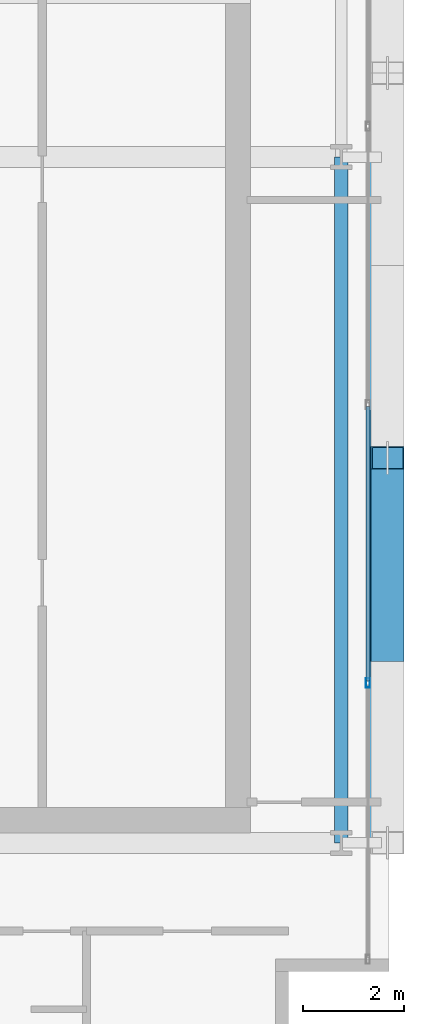
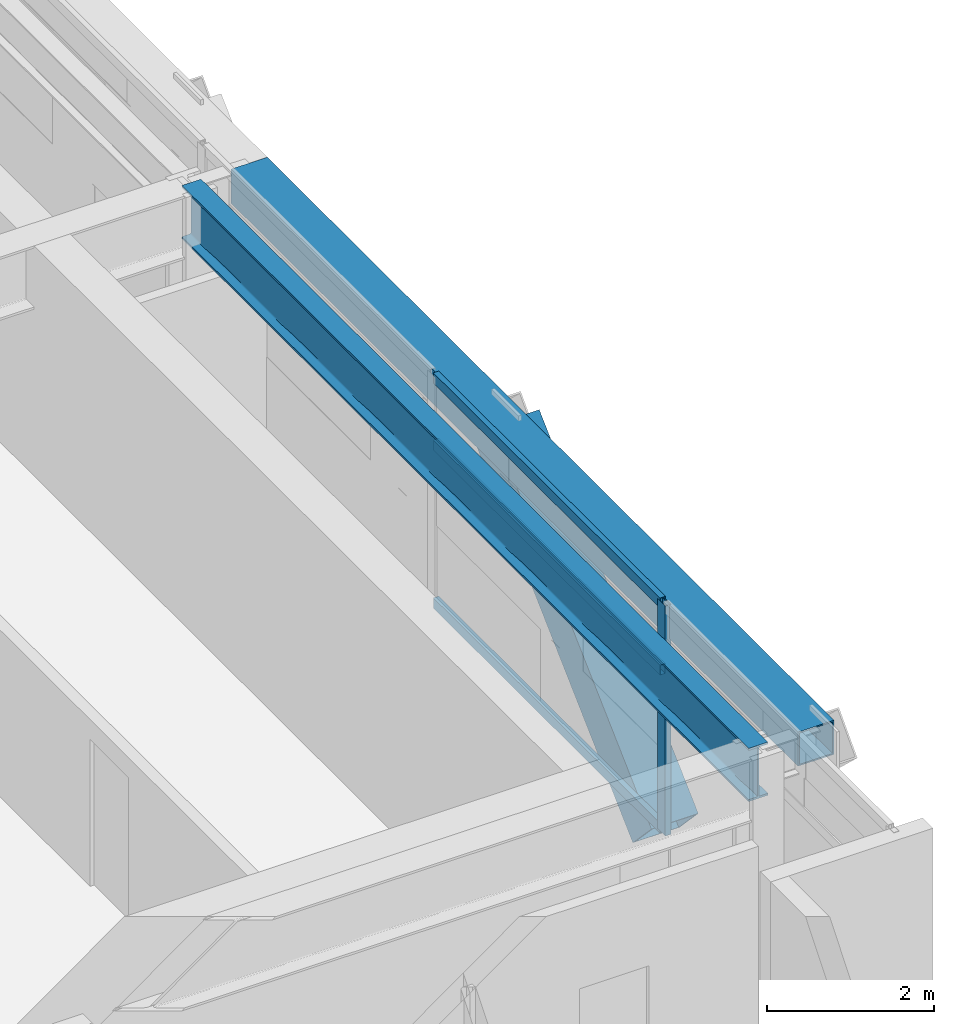
# One storey, part 12 of 32: 5 members, 2 beams, 1 element without a shape of its own.
"""IFC4 building model written with IfcOpenShell, lengths in metres."""

from ifc_helpers import new_model, si_unit, direction, frame, origin, origin_2d, place, context, subcontext, project, spatial, hollow_rectangle, i_section, extrude, source, transform, mapped, material, layer, layer_set, material_profile, profile_set, type_object, element, aggregate, save


model = new_model("IFC4")

# Units and contexts
model_context = context("Model", 3, precision=1e-05, world=origin(), true_north=direction((0.0, 1.0)))
body_context = subcontext(model_context, "Body", "Model", "MODEL_VIEW")
ifc_project = project(units=[si_unit("LENGTHUNIT", "METRE"), si_unit("AREAUNIT", "SQUARE_METRE"), si_unit("VOLUMEUNIT", "CUBIC_METRE"), si_unit("PLANEANGLEUNIT", "RADIAN"), si_unit("MASSUNIT", "GRAM", prefix="KILO")], contexts=[model_context])

# Site, building, storey
site_placement = place(None, origin())
site = spatial("IfcSite", under=ifc_project, at=site_placement, CompositionType="ELEMENT")
building_placement = place(site_placement, origin())
building = spatial("IfcBuilding", under=site, at=building_placement, Name="Ocotamira Hotel", CompositionType="ELEMENT")
storey_placement = place(building_placement, frame((0.0, 0.0, 184.800048828125)))
storey = spatial("IfcBuildingStorey", under=building, at=storey_placement, Name="L46", CompositionType="ELEMENT", Elevation=184.800048828125)

# Beams
ifc_material_1 = material(Name="Steel ASTM A992 Grade 50", Category="steel")
ifc_material_profile_1 = material_profile(ifc_material_1, i_section(OverallWidth=0.26611328125, OverallDepth=0.779052734375, WebThickness=0.0166015625, FlangeThickness=0.030029296875, FilletRadius=0.01806640625, at=origin_2d()), Name="W30X148")
ifc_profile_set_1 = profile_set([ifc_material_profile_1], Name="Steel ASTM A992 Grade 50")
beam_type_1 = type_object("IfcBeamType", Name="BM-GIRD-W30X148", PredefinedType="BEAM", material=ifc_profile_set_1)
shared_shape_1 = source(origin(), body_context, "Body", "SweptSolid", [
    extrude(i_section(OverallWidth=0.26611328125, OverallDepth=0.779052734375, WebThickness=0.0166015625, FlangeThickness=0.030029296875, FilletRadius=0.01806640625, at=origin_2d()), origin(), (0.0, 0.0, 1.0), 13.599853515625),
])
beam_1_placement = place(storey_placement, frame((55.050048828125, 14.550048828125, 2.98046875), z_axis=(0.0, 1.0, 0.0), x_axis=(-1.0, 0.0, 0.0)))
element("IfcBeam", 1, at=beam_1_placement, inside=storey, type_object=beam_type_1, Name="L46 Beam X55.05 Y14.55-28.15", PredefinedType="BEAM", context=body_context, shape_type="MappedRepresentation", body=[
    mapped(shared_shape_1, transform((0.0, 0.0, 0.0), scale=1.0)),
])
ifc_material_2 = material(Name="Steel ASTM A500 Grade C", Category="steel")
ifc_material_profile_2 = material_profile(ifc_material_2, hollow_rectangle(XDim=0.5, YDim=0.5, WallThickness=0.02001953125, at=origin_2d()), Name="HSS500X500X20")
ifc_profile_set_2 = profile_set([ifc_material_profile_2], Name="Steel ASTM A500 Grade C")
beam_type_2 = type_object("IfcBeamType", Name="BM-SPAN-HSS500", PredefinedType="USERDEFINED", material=ifc_profile_set_2)
shared_shape_2 = source(origin(), body_context, "Body", "SweptSolid", [
    extrude(hollow_rectangle(XDim=0.5, YDim=0.5, WallThickness=0.02001953125, at=origin_2d()), origin(), (0.0, 0.0, 1.0), 13.599853515625),
])
beam_2_placement = place(storey_placement, frame((55.85009765625, 14.550048828125, 3.119873046875), z_axis=(0.0, 1.0, 0.0), x_axis=(-1.0, 0.0, 0.0)))
element("IfcBeam", 2, at=beam_2_placement, inside=storey, type_object=beam_type_2, Name="L46 Edge Spandrel E Y14.55-28.15", ObjectType="SPANDREL", PredefinedType="USERDEFINED", context=body_context, shape_type="MappedRepresentation", body=[
    mapped(shared_shape_2, transform((0.0, 0.0, 0.0), scale=1.0)),
])

# Member
ifc_material_3 = material(Name="Pale-metal coated steel ASTM A913 Grade 65", Category="steel")
ifc_material_profile_3 = material_profile(ifc_material_3, hollow_rectangle(XDim=0.64990234375, YDim=0.64990234375, WallThickness=0.02197265625, at=origin_2d()), Name="BOX650X650X22")
ifc_profile_set_3 = profile_set([ifc_material_profile_3], Name="Pale-metal coated steel ASTM A913 Grade 65")
member_type_1 = type_object("IfcMemberType", Name="MEM-EXO-BOX650", PredefinedType="BRACE", material=ifc_profile_set_3)
shared_shape_3 = source(origin(), body_context, "Body", "SweptSolid", [
    extrude(hollow_rectangle(XDim=0.64990234375, YDim=0.64990234375, WallThickness=0.02197265625, at=origin_2d()), origin(), (0.0, 0.0, 1.0), 5.24658203125),
])
member_1_placement = place(storey_placement, frame((55.969970703125, 18.36669921875, -0.47998046875), z_axis=(0.0, 0.72746596067, 0.686143772154), x_axis=(-1.0, 0.0, 0.0)))
element("IfcMember", 3, at=member_1_placement, inside=storey, type_object=member_type_1, Name="L46 Exoskeleton Diagrid E0.2", PredefinedType="BRACE", context=body_context, shape_type="MappedRepresentation", body=[
    mapped(shared_shape_3, transform((0.0, 0.0, 0.0), scale=1.0)),
])

# Curtain wall, members
ifc_material_4 = material(Name="Anodised pale-metal aluminium and solar glass", Category="aluminium")
ifc_layer = layer(ifc_material_4, 0.199951171875)
ifc_layer_set = layer_set([ifc_layer], Name="Anodised pale-metal aluminium and solar glass")
curtain_wall_type = type_object("IfcCurtainWallType", Name="CW-SYS4-Z3", PredefinedType="NOTDEFINED", material=ifc_layer_set)
curtain_wall_placement = place(storey_placement, origin())
curtain_wall = element("IfcCurtainWall", 4, at=curtain_wall_placement, inside=storey, type_object=curtain_wall_type, Name="L46 Curtain Wall CW-4 CW-L46-E", PredefinedType="NOTDEFINED")
ifc_material_5 = material(Name="Anodised pale-metal aluminium 6063-T6", Category="aluminium")
ifc_material_profile_4 = material_profile(ifc_material_5, hollow_rectangle(XDim=0.074951171875, YDim=0.14990234375, WallThickness=0.006103515625, at=origin_2d()), Name="HSS150X75X6")
ifc_profile_set_4 = profile_set([ifc_material_profile_4], Name="Anodised pale-metal aluminium 6063-T6")
member_type_2 = type_object("IfcMemberType", Name="CWT-150X75", PredefinedType="USERDEFINED", material=ifc_profile_set_4)
shared_shape_4 = source(origin(), body_context, "Body", "SweptSolid", [
    extrude(hollow_rectangle(XDim=0.074951171875, YDim=0.14990234375, WallThickness=0.006103515625, at=origin_2d()), origin(), (0.0, 0.0, 1.0), 5.43994140625),
])
member_2_placement = place(storey_placement, frame((55.580078125, 17.760009765625, 0.037353515625), z_axis=(0.0, 1.0, 0.0), x_axis=(-1.0, 0.0, 0.0)))
member_2 = element("IfcMember", 5, at=member_2_placement, type_object=member_type_2, Name="CW-4 transom 2.1", ObjectType="TRANSOM", PredefinedType="USERDEFINED", context=body_context, shape_type="MappedRepresentation", body=[
    mapped(shared_shape_4, transform((0.0, 0.0, 0.0), scale=1.0)),
])
member_3_placement = place(storey_placement, frame((55.580078125, 17.760009765625, 2.349853515625), z_axis=(0.0, 1.0, 0.0), x_axis=(-1.0, 0.0, 0.0)))
member_3 = element("IfcMember", 6, at=member_3_placement, type_object=member_type_2, Name="CW-4 transom 2.2", ObjectType="TRANSOM", PredefinedType="USERDEFINED", context=body_context, shape_type="MappedRepresentation", body=[
    mapped(shared_shape_4, transform((0.0, 0.0, 0.0), scale=1.0)),
])
member_4_placement = place(storey_placement, frame((55.580078125, 17.760009765625, 3.33251953125), z_axis=(0.0, 1.0, 0.0), x_axis=(-1.0, 0.0, 0.0)))
member_4 = element("IfcMember", 7, at=member_4_placement, type_object=member_type_2, Name="CW-4 transom 2.3", ObjectType="TRANSOM", PredefinedType="USERDEFINED", context=body_context, shape_type="MappedRepresentation", body=[
    mapped(shared_shape_4, transform((0.0, 0.0, 0.0), scale=1.0)),
])
ifc_material_profile_5 = material_profile(ifc_material_5, hollow_rectangle(XDim=0.080078125, YDim=0.179931640625, WallThickness=0.006103515625, at=origin_2d()), Name="HSS180X80X6")
ifc_profile_set_5 = profile_set([ifc_material_profile_5], Name="Anodised pale-metal aluminium 6063-T6")
member_type_3 = type_object("IfcMemberType", Name="CWM-180X75", PredefinedType="MULLION", material=ifc_profile_set_5)
shared_shape_5 = source(origin(), body_context, "Body", "SweptSolid", [
    extrude(hollow_rectangle(XDim=0.080078125, YDim=0.179931640625, WallThickness=0.006103515625, at=origin_2d()), origin(), (0.0, 0.0, 1.0), 3.369873046875),
])
member_5_placement = place(storey_placement, frame((55.580078125, 17.719970703125, 0.0), z_axis=(0.0, 0.0, 1.0), x_axis=(-1.0, 0.0, 0.0)))
member_5 = element("IfcMember", 8, at=member_5_placement, type_object=member_type_3, Name="CW-4 mullion 2", PredefinedType="MULLION", context=body_context, shape_type="MappedRepresentation", body=[
    mapped(shared_shape_5, transform((0.0, 0.0, 0.0), scale=1.0)),
])
aggregate(curtain_wall, [member_5, member_2, member_3, member_4])

save(model, "model.ifc")
